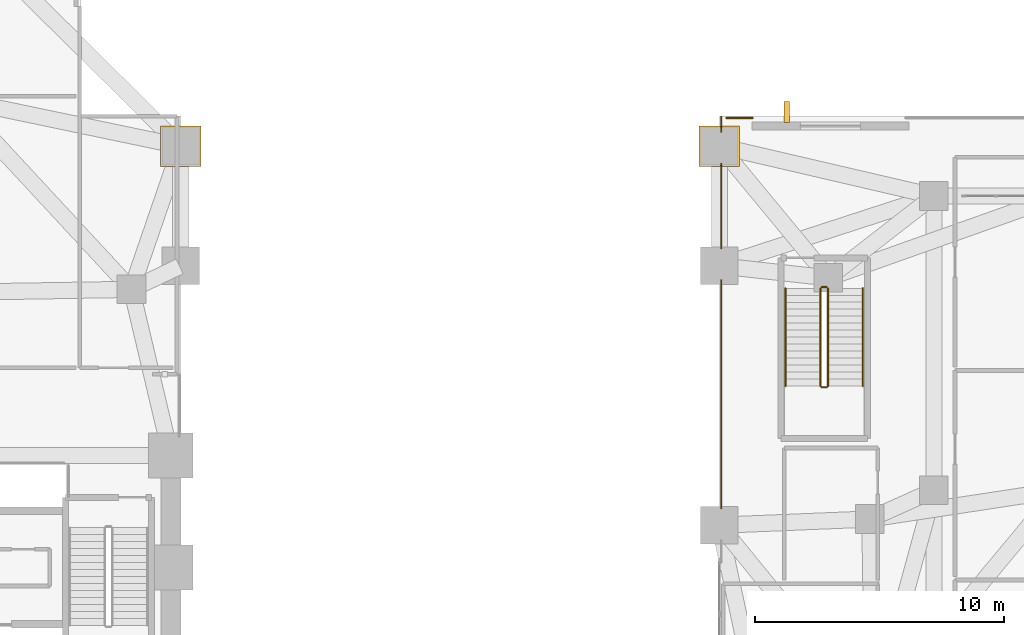
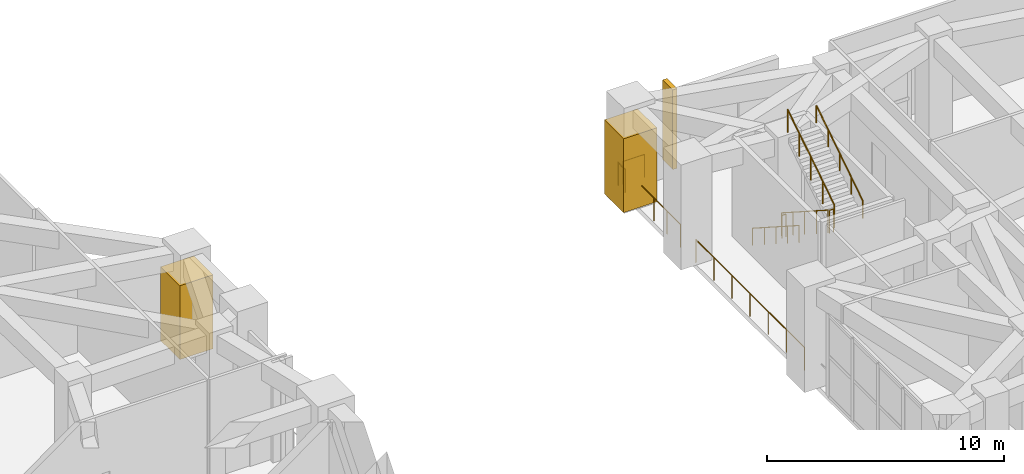
# One storey, part 16 of 18: 10 railings, 2 coverings, 1 shading device.
"""IFC4 building model written with IfcOpenShell, lengths in metres."""

from ifc_helpers import new_model, si_unit, direction, frame, origin, origin_2d, place, context, subcontext, project, spatial, rectangle, circle, extrude, material, layer, layer_set, type_object, element, save


model = new_model("IFC4")

# Units and contexts
model_context = context("Model", 3, precision=1e-05, world=origin(), true_north=direction((0.0, 1.0)))
body_context = subcontext(model_context, "Body", "Model", "MODEL_VIEW")
ifc_project = project(units=[si_unit("LENGTHUNIT", "METRE"), si_unit("AREAUNIT", "SQUARE_METRE"), si_unit("VOLUMEUNIT", "CUBIC_METRE"), si_unit("PLANEANGLEUNIT", "RADIAN"), si_unit("MASSUNIT", "GRAM", prefix="KILO")], contexts=[model_context])

# Site, building, storey
site_placement = place(None, origin())
site = spatial("IfcSite", under=ifc_project, at=site_placement, CompositionType="ELEMENT")
building_placement = place(site_placement, origin())
building = spatial("IfcBuilding", under=site, at=building_placement, Name="Gaonmaruhae Medical Tower", CompositionType="ELEMENT")
storey_placement = place(building_placement, frame((0.0, 0.0, 10.800048828125)))
storey = spatial("IfcBuildingStorey", under=building, at=storey_placement, Name="L02", CompositionType="ELEMENT", Elevation=10.800048828125)

# Coverings
ifc_material_1 = material(Name="Architectural precast column cladding", Category="concrete")
ifc_layer_1 = layer(ifc_material_1, 0.06005859375)
ifc_layer_set_1 = layer_set([ifc_layer_1], Name="Architectural precast column cladding")
covering_type = type_object("IfcCoveringType", Name="CLD-01 Architectural Precast Pier Cladding", PredefinedType="CLADDING", material=ifc_layer_set_1)
for number, where, z_axis, x_axis, name in (
    (1, (36.0, 29.199951171875, 0.10009765625), (0.0, 0.0, 1.0), (1.0, 0.0, 0.0), "L02 Architectural Precast Column Cladding 3"),
    (2, (57.60009765625, 29.199951171875, 0.10009765625), (0.0, 0.0, 1.0), (1.0, 0.0, 0.0), "L02 Architectural Precast Column Cladding 4"),
):
    element("IfcCovering", number, at=place(storey_placement, frame(where, z_axis=z_axis, x_axis=x_axis)), inside=storey, type_object=covering_type, Name=name, PredefinedType="CLADDING", context=body_context, shape_type="SweptSolid", body=[
        extrude(rectangle(XDim=1.6201171875, YDim=1.6201171875, at=origin_2d()), origin(), (0.0, 0.0, 1.0), 3.800048828125),
    ])

# Railings
ifc_material_2 = material(Name="Stainless steel 316L and laminated safety glass", Category="steel")
ifc_layer_2 = layer(ifc_material_2, 0.080078125)
ifc_layer_set_2 = layer_set([ifc_layer_2], Name="Stainless steel 316L and laminated safety glass")
railing_type_1 = type_object("IfcRailingType", Name="GD-120 Outdoor Terrace Safety Glass & Steel Balustrade", PredefinedType="BALUSTRADE", material=ifc_layer_set_2)
railing_1_placement = place(storey_placement, frame((57.669921875, 14.67041015625, 0.0)))
element("IfcRailing", 3, at=railing_1_placement, inside=storey, type_object=railing_type_1, Name="L02 Perimeter Slab Edge Safety Balustrade 34", PredefinedType="BALUSTRADE", context=body_context, shape_type="SweptSolid", body=[
    extrude(circle(Radius=0.02392578125, at=origin_2d()), frame((0.0, 0.0, 1.17578125), z_axis=(0.0, 1.0, 0.0), x_axis=(-1.0, 0.0, 0.0)), (0.0, 0.0, 1.0), 9.154052734375),
    extrude(circle(Radius=0.02099609375, at=origin_2d()), origin(), (0.0, 0.0, 1.0), 1.15185546875),
    extrude(circle(Radius=0.02099609375, at=origin_2d()), frame((0.0, 1.525634765625, 0.0)), (0.0, 0.0, 1.0), 1.15185546875),
    extrude(circle(Radius=0.02099609375, at=origin_2d()), frame((0.0, 3.05126953125, 0.0)), (0.0, 0.0, 1.0), 1.15185546875),
    extrude(circle(Radius=0.02099609375, at=origin_2d()), frame((0.0, 4.5771484375, 0.0)), (0.0, 0.0, 1.0), 1.15185546875),
    extrude(circle(Radius=0.02099609375, at=origin_2d()), frame((0.0, 6.102783203125, 0.0)), (0.0, 0.0, 1.0), 1.15185546875),
    extrude(circle(Radius=0.02099609375, at=origin_2d()), frame((0.0, 7.62841796875, 0.0)), (0.0, 0.0, 1.0), 1.15185546875),
    extrude(circle(Radius=0.02099609375, at=origin_2d()), frame((0.0, 9.154052734375, 0.0)), (0.0, 0.0, 1.0), 1.15185546875),
])
railing_2_placement = place(storey_placement, frame((57.669921875, 25.103515625, 0.0)))
element("IfcRailing", 4, at=railing_2_placement, inside=storey, type_object=railing_type_1, Name="L02 Perimeter Slab Edge Safety Balustrade 35", PredefinedType="BALUSTRADE", context=body_context, shape_type="SweptSolid", body=[
    extrude(circle(Radius=0.02392578125, at=origin_2d()), frame((0.0, 0.0, 1.17578125), z_axis=(0.0, 1.0, 0.0), x_axis=(-1.0, 0.0, 0.0)), (0.0, 0.0, 1.0), 3.397705078125),
    extrude(circle(Radius=0.02099609375, at=origin_2d()), origin(), (0.0, 0.0, 1.0), 1.15185546875),
    extrude(circle(Radius=0.02099609375, at=origin_2d()), frame((0.0, 1.132568359375, 0.0)), (0.0, 0.0, 1.0), 1.15185546875),
    extrude(circle(Radius=0.02099609375, at=origin_2d()), frame((0.0, 2.26513671875, 0.0)), (0.0, 0.0, 1.0), 1.15185546875),
    extrude(circle(Radius=0.02099609375, at=origin_2d()), frame((0.0, 3.397705078125, 0.0)), (0.0, 0.0, 1.0), 1.15185546875),
])
railing_3_placement = place(storey_placement, frame((57.669921875, 29.780517578125, 0.0)))
element("IfcRailing", 5, at=railing_3_placement, inside=storey, type_object=railing_type_1, Name="L02 Perimeter Slab Edge Safety Balustrade 36", PredefinedType="BALUSTRADE", context=body_context, shape_type="SweptSolid", body=[
    extrude(circle(Radius=0.02392578125, at=origin_2d()), frame((0.0, 0.0, 1.17578125), z_axis=(0.0, 1.0, 0.0), x_axis=(-1.0, 0.0, 0.0)), (0.0, 0.0, 1.0), 0.599365234375),
    extrude(circle(Radius=0.02099609375, at=origin_2d()), origin(), (0.0, 0.0, 1.0), 1.15185546875),
    extrude(circle(Radius=0.02099609375, at=origin_2d()), frame((0.0, 0.599365234375, 0.0)), (0.0, 0.0, 1.0), 1.15185546875),
])
railing_4_placement = place(storey_placement, frame((57.879150390625, 30.330078125, 0.0)))
element("IfcRailing", 6, at=railing_4_placement, inside=storey, type_object=railing_type_1, Name="L02 Perimeter Slab Edge Safety Balustrade 37", PredefinedType="BALUSTRADE", context=body_context, shape_type="SweptSolid", body=[
    extrude(circle(Radius=0.02392578125, at=origin_2d()), frame((0.0, 0.0, 1.17578125), z_axis=(1.0, 0.0, 0.0), x_axis=(0.0, 1.0, 0.0)), (0.0, 0.0, 1.0), 1.0576171875),
    extrude(circle(Radius=0.02099609375, at=origin_2d()), origin(), (0.0, 0.0, 1.0), 1.15185546875),
    extrude(circle(Radius=0.02099609375, at=origin_2d()), frame((1.0576171875, 0.0, 0.0)), (0.0, 0.0, 1.0), 1.15185546875),
])
ifc_material_3 = material(Name="Stainless steel 304 handrail", Category="steel")
railing_type_2 = type_object("IfcRailingType", Name="HR-092 Continuous Stainless Steel Stair Handrail", PredefinedType="HANDRAIL", material=ifc_material_3)
railing_5_placement = place(storey_placement, frame((60.25, 23.5, 0.179931640625)))
element("IfcRailing", 7, at=railing_5_placement, inside=storey, type_object=railing_type_2, Name="L02 ST-04 stair handrail 1", PredefinedType="HANDRAIL", context=body_context, shape_type="SweptSolid", body=[
    extrude(circle(Radius=0.02392578125, at=origin_2d()), frame((0.0, 0.0, 0.8759765625), z_axis=(0.0, -0.841171666519, 0.540768182723), x_axis=(1.0, 0.0, 0.0)), (0.0, 0.0, 1.0), 4.66015625),
    extrude(circle(Radius=0.02099609375, at=origin_2d()), origin(), (0.0, 0.0, 1.0), 0.851806640625),
    extrude(circle(Radius=0.02099609375, at=origin_2d()), frame((0.0, -0.97998046875, 0.6298828125)), (0.0, 0.0, 1.0), 0.851806640625),
    extrude(circle(Radius=0.02099609375, at=origin_2d()), frame((0.0, -1.9599609375, 1.260009765625)), (0.0, 0.0, 1.0), 0.851806640625),
    extrude(circle(Radius=0.02099609375, at=origin_2d()), frame((0.0, -2.93994140625, 1.89013671875)), (0.0, 0.0, 1.0), 0.851806640625),
    extrude(circle(Radius=0.02099609375, at=origin_2d()), frame((0.0, -3.919921875, 2.52001953125)), (0.0, 0.0, 1.0), 0.851806640625),
])
railing_6_placement = place(storey_placement, frame((63.35009765625, 19.580078125, 2.8798828125)))
element("IfcRailing", 8, at=railing_6_placement, inside=storey, type_object=railing_type_2, Name="L02 ST-04 stair handrail 2", PredefinedType="HANDRAIL", context=body_context, shape_type="SweptSolid", body=[
    extrude(circle(Radius=0.02392578125, at=origin_2d()), frame((0.0, 0.0, 0.8759765625), z_axis=(0.0, 0.841171666519, 0.540768182723), x_axis=(-1.0, 0.0, 0.0)), (0.0, 0.0, 1.0), 4.66015625),
    extrude(circle(Radius=0.02099609375, at=origin_2d()), origin(), (0.0, 0.0, 1.0), 0.851806640625),
    extrude(circle(Radius=0.02099609375, at=origin_2d()), frame((0.0, 0.97998046875, 0.6298828125)), (0.0, 0.0, 1.0), 0.851806640625),
    extrude(circle(Radius=0.02099609375, at=origin_2d()), frame((0.0, 1.9599609375, 1.260009765625)), (0.0, 0.0, 1.0), 0.851806640625),
    extrude(circle(Radius=0.02099609375, at=origin_2d()), frame((0.0, 2.93994140625, 1.89013671875)), (0.0, 0.0, 1.0), 0.851806640625),
    extrude(circle(Radius=0.02099609375, at=origin_2d()), frame((0.0, 3.919921875, 2.52001953125)), (0.0, 0.0, 1.0), 0.851806640625),
])

# Shading device
ifc_material_4 = material(Name="Pigmented coral precast concrete C45/55", Category="concrete")
shading_device_type = type_object("IfcShadingDeviceType", Name="SD-FIN2 Podium Vertical Coral Precast Shading Fin", PredefinedType="USERDEFINED", material=ifc_material_4)
shading_device_placement = place(storey_placement, frame((60.300048828125, 30.56494140625, 0.06494140625), z_axis=(0.0, 0.0, 1.0), x_axis=(1.0, 0.0, 0.0)))
element("IfcShadingDevice", 9, at=shading_device_placement, inside=storey, type_object=shading_device_type, Name="L02 Podium Coral Precast Shading Fin PB-N1", ObjectType="FIN", PredefinedType="USERDEFINED", context=body_context, shape_type="SweptSolid", body=[
    extrude(rectangle(XDim=0.219970703125, YDim=0.85009765625, at=origin_2d()), origin(), (0.0, 0.0, 1.0), 4.10009765625),
])

# Railings
ifc_material_5 = material(Name="Stainless steel 304 balustrade", Category="steel")
railing_type_3 = type_object("IfcRailingType", Name="SG-112 Stair Well & Ramp Void Safety Balustrade", PredefinedType="BALUSTRADE", material=ifc_material_5)
railing_7_placement = place(storey_placement, frame((61.64990234375, 23.5, 0.179931640625)))
element("IfcRailing", 10, at=railing_7_placement, inside=storey, type_object=railing_type_3, Name="L02 ST-04 stair guard 1", PredefinedType="BALUSTRADE", context=body_context, shape_type="SweptSolid", body=[
    extrude(circle(Radius=0.02392578125, at=origin_2d()), frame((0.0, 0.0, 1.17578125), z_axis=(0.0, -0.841171666519, 0.540768182723), x_axis=(1.0, 0.0, 0.0)), (0.0, 0.0, 1.0), 4.66015625),
    extrude(circle(Radius=0.02099609375, at=origin_2d()), origin(), (0.0, 0.0, 1.0), 1.15185546875),
    extrude(circle(Radius=0.02099609375, at=origin_2d()), frame((0.0, -0.97998046875, 0.6298828125)), (0.0, 0.0, 1.0), 1.15185546875),
    extrude(circle(Radius=0.02099609375, at=origin_2d()), frame((0.0, -1.9599609375, 1.260009765625)), (0.0, 0.0, 1.0), 1.15185546875),
    extrude(circle(Radius=0.02099609375, at=origin_2d()), frame((0.0, -2.93994140625, 1.89013671875)), (0.0, 0.0, 1.0), 1.15185546875),
    extrude(circle(Radius=0.02099609375, at=origin_2d()), frame((0.0, -3.919921875, 2.52001953125)), (0.0, 0.0, 1.0), 1.15185546875),
])
railing_8_placement = place(storey_placement, frame((61.699951171875, 19.530029296875, 2.699951171875)))
element("IfcRailing", 11, at=railing_8_placement, inside=storey, type_object=railing_type_3, Name="L02 ST-04 stair guard 2", PredefinedType="BALUSTRADE", context=body_context, shape_type="SweptSolid", body=[
    extrude(circle(Radius=0.02392578125, at=origin_2d()), frame((0.0, 0.0, 1.17578125), z_axis=(1.0, 0.0, 0.0), x_axis=(0.0, 1.0, 0.0)), (0.0, 0.0, 1.0), 0.199951171875),
    extrude(circle(Radius=0.02099609375, at=origin_2d()), origin(), (0.0, 0.0, 1.0), 1.15185546875),
    extrude(circle(Radius=0.02099609375, at=origin_2d()), frame((0.199951171875, 0.0, 0.0)), (0.0, 0.0, 1.0), 1.15185546875),
])
railing_9_placement = place(storey_placement, frame((61.949951171875, 19.580078125, 2.8798828125)))
element("IfcRailing", 12, at=railing_9_placement, inside=storey, type_object=railing_type_3, Name="L02 ST-04 stair guard 3", PredefinedType="BALUSTRADE", context=body_context, shape_type="SweptSolid", body=[
    extrude(circle(Radius=0.02392578125, at=origin_2d()), frame((0.0, 0.0, 1.17578125), z_axis=(0.0, 0.841171666519, 0.540768182723), x_axis=(-1.0, 0.0, 0.0)), (0.0, 0.0, 1.0), 4.66015625),
    extrude(circle(Radius=0.02099609375, at=origin_2d()), origin(), (0.0, 0.0, 1.0), 1.15185546875),
    extrude(circle(Radius=0.02099609375, at=origin_2d()), frame((0.0, 0.97998046875, 0.6298828125)), (0.0, 0.0, 1.0), 1.15185546875),
    extrude(circle(Radius=0.02099609375, at=origin_2d()), frame((0.0, 1.9599609375, 1.260009765625)), (0.0, 0.0, 1.0), 1.15185546875),
    extrude(circle(Radius=0.02099609375, at=origin_2d()), frame((0.0, 2.93994140625, 1.89013671875)), (0.0, 0.0, 1.0), 1.15185546875),
    extrude(circle(Radius=0.02099609375, at=origin_2d()), frame((0.0, 3.919921875, 2.52001953125)), (0.0, 0.0, 1.0), 1.15185546875),
])
railing_10_placement = place(storey_placement, frame((61.699951171875, 23.550048828125, 0.0)))
element("IfcRailing", 13, at=railing_10_placement, inside=storey, type_object=railing_type_3, Name="L02 ST-04 stair guard 4", PredefinedType="BALUSTRADE", context=body_context, shape_type="SweptSolid", body=[
    extrude(circle(Radius=0.02392578125, at=origin_2d()), frame((0.0, 0.0, 1.17578125), z_axis=(1.0, 0.0, 0.0), x_axis=(0.0, 1.0, 0.0)), (0.0, 0.0, 1.0), 0.199951171875),
    extrude(circle(Radius=0.02099609375, at=origin_2d()), origin(), (0.0, 0.0, 1.0), 1.15185546875),
    extrude(circle(Radius=0.02099609375, at=origin_2d()), frame((0.199951171875, 0.0, 0.0)), (0.0, 0.0, 1.0), 1.15185546875),
])

save(model, "model.ifc")
